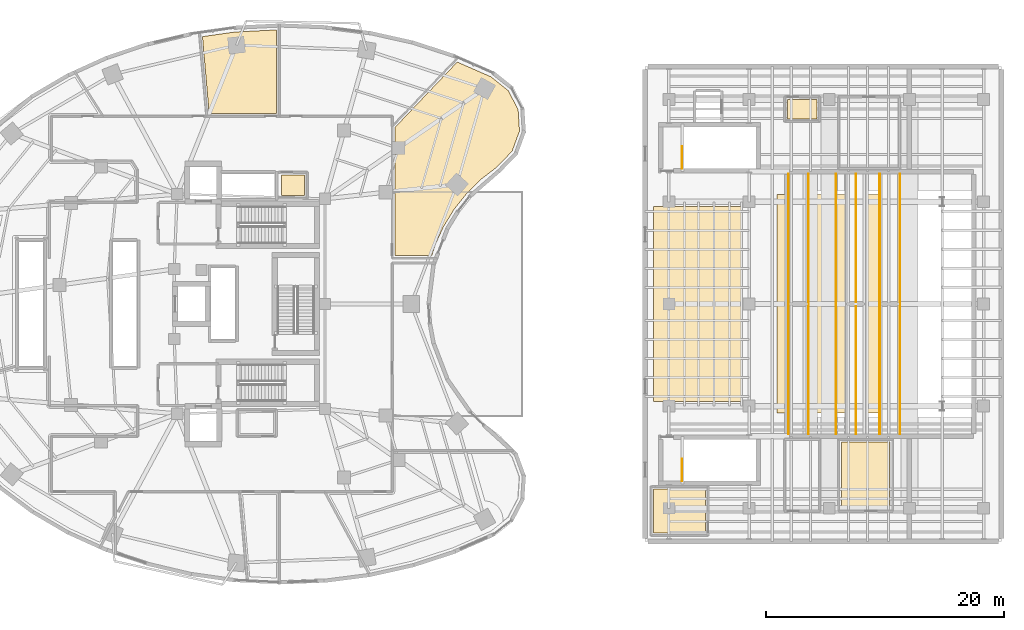
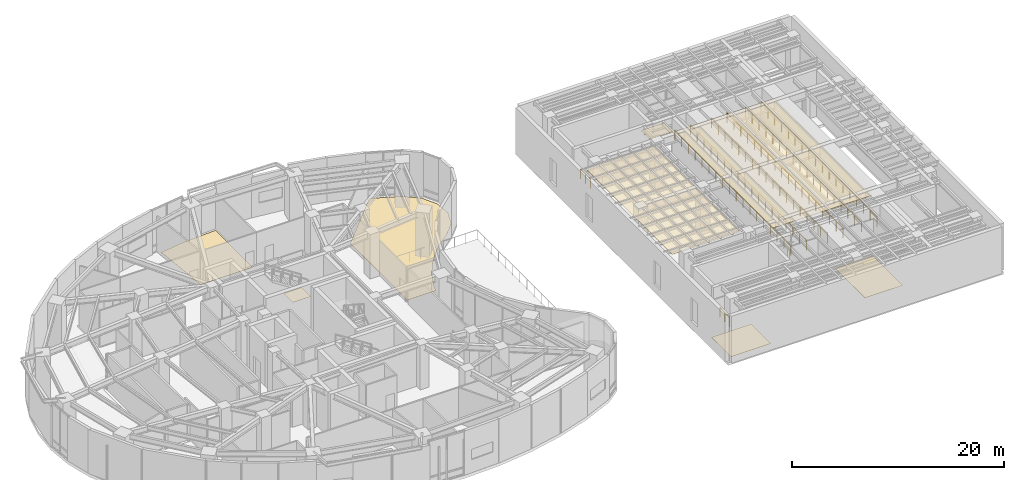
# One storey, part 19 of 19: 8 coverings, 8 railings.
"""IFC4 building model written with IfcOpenShell, lengths in metres."""

from ifc_helpers import new_model, si_unit, direction, frame, origin, origin_2d, place, context, subcontext, project, spatial, polyline, rectangle, outline, extrude, material, layer, layer_set, type_object, element, save


model = new_model("IFC4")

# Units and contexts
model_context = context("Model", 3, precision=1e-05, world=origin(), true_north=direction((0.0, 1.0)))
body_context = subcontext(model_context, "Body", "Model", "MODEL_VIEW")
ifc_project = project(units=[si_unit("LENGTHUNIT", "METRE"), si_unit("AREAUNIT", "SQUARE_METRE"), si_unit("VOLUMEUNIT", "CUBIC_METRE"), si_unit("PLANEANGLEUNIT", "RADIAN"), si_unit("MASSUNIT", "GRAM", prefix="KILO")], contexts=[model_context])

# Site, building, storey
site_placement = place(None, origin())
site = spatial("IfcSite", under=ifc_project, at=site_placement, CompositionType="ELEMENT")
building_placement = place(site_placement, origin())
building = spatial("IfcBuilding", under=site, at=building_placement, Name="Korentha Bioscience Tower", CompositionType="ELEMENT")
storey_placement = place(building_placement, frame((0.0, 0.0, 20.39990234375)))
storey = spatial("IfcBuildingStorey", under=building, at=storey_placement, Name="L04", CompositionType="ELEMENT", Elevation=20.39990234375)

# Coverings
ifc_material_1 = material(Name="Vitrified Porcelain Tile", Category="ceramic")
ifc_layer_1 = layer(ifc_material_1, 0.014892578125, Name="Vitrified Porcelain Tile")
ifc_layer_set_1 = layer_set([ifc_layer_1], Name="Vitrified Porcelain Tile (FL-CER)")
covering_type_1 = type_object("IfcCoveringType", Name="Anti-Slip Ceramic Wet-Room Tile Flooring 15", PredefinedType="FLOORING", material=ifc_layer_set_1)
covering_1_placement = place(storey_placement, origin())
element("IfcCovering", 1, at=covering_1_placement, inside=storey, type_object=covering_type_1, Name="L04 Accessible Staff WC Floor Finish", PredefinedType="FLOORING", context=body_context, shape_type="SweptSolid", body=[
    extrude(outline(polyline([(33.8701171875, 36.1298828125), (33.8701171875, 37.8701171875), (35.830078125, 37.8701171875), (35.830078125, 36.1298828125), (33.8701171875, 36.1298828125)])), origin(), (0.0, 0.0, 1.0), 0.01513671875),
])
covering_2_placement = place(storey_placement, origin())
element("IfcCovering", 2, at=covering_2_placement, inside=storey, type_object=covering_type_1, Name="L04 L04 Theatre Public Restrooms Floor Finish", PredefinedType="FLOORING", context=body_context, shape_type="SweptSolid", body=[
    extrude(outline(polyline([(65.219970703125, 11.429931640625), (69.580078125, 11.419921875), (69.570068359375, 7.719970703125), (65.219970703125, 7.719970703125), (65.219970703125, 11.429931640625)])), origin(), (0.0, 0.0, 1.0), 0.01513671875),
])
covering_3_placement = place(storey_placement, origin())
element("IfcCovering", 3, at=covering_3_placement, inside=storey, type_object=covering_type_1, Name="L04 L04 Theatre Accessible WC Floor Finish", PredefinedType="FLOORING", context=body_context, shape_type="SweptSolid", body=[
    extrude(outline(polyline([(76.469970703125, 42.570068359375), (76.469970703125, 44.219970703125), (78.97998046875, 44.219970703125), (78.97998046875, 42.570068359375), (76.469970703125, 42.570068359375)])), origin(), (0.0, 0.0, 1.0), 0.01513671875),
])

# Railings
ifc_material_2 = material(Name="Laminated Tempered Safety Glass", Category="glass")
railing_type_1 = type_object("IfcRailingType", Name="Laminated Glass Balcony Guardrail 1150", PredefinedType="BALUSTRADE", material=ifc_material_2)
railing_1_placement = place(storey_placement, frame((76.550048828125, 16.050048828125, 2.7001953125)))
element("IfcRailing", 4, at=railing_1_placement, inside=storey, type_object=railing_type_1, Name="L04 Auditorium Catwalk 1 Guardrail W", PredefinedType="BALUSTRADE", context=body_context, shape_type="SweptSolid", body=[
    extrude(rectangle(XDim=0.048095703125, YDim=0.048095703125, at=origin_2d()), frame((0.0, 0.0, 1.1259765625), z_axis=(0.0, 1.0, 0.0), x_axis=(-1.0, 0.0, 0.0)), (0.0, 0.0, 1.0), 21.89990234375),
    extrude(rectangle(XDim=0.0419921875, YDim=0.0419921875, at=origin_2d()), origin(), (0.0, 0.0, 1.0), 1.101806640625),
    extrude(rectangle(XDim=0.0419921875, YDim=0.0419921875, at=origin_2d()), frame((0.0, 1.288330078125, 0.0)), (0.0, 0.0, 1.0), 1.101806640625),
    extrude(rectangle(XDim=0.0419921875, YDim=0.0419921875, at=origin_2d()), frame((0.0, 2.576416015625, 0.0)), (0.0, 0.0, 1.0), 1.101806640625),
    extrude(rectangle(XDim=0.0419921875, YDim=0.0419921875, at=origin_2d()), frame((0.0, 3.86474609375, 0.0)), (0.0, 0.0, 1.0), 1.101806640625),
    extrude(rectangle(XDim=0.0419921875, YDim=0.0419921875, at=origin_2d()), frame((0.0, 5.15283203125, 0.0)), (0.0, 0.0, 1.0), 1.101806640625),
    extrude(rectangle(XDim=0.0419921875, YDim=0.0419921875, at=origin_2d()), frame((0.0, 6.441162109375, 0.0)), (0.0, 0.0, 1.0), 1.101806640625),
    extrude(rectangle(XDim=0.0419921875, YDim=0.0419921875, at=origin_2d()), frame((0.0, 7.7294921875, 0.0)), (0.0, 0.0, 1.0), 1.101806640625),
    extrude(rectangle(XDim=0.0419921875, YDim=0.0419921875, at=origin_2d()), frame((0.0, 9.017578125, 0.0)), (0.0, 0.0, 1.0), 1.101806640625),
    extrude(rectangle(XDim=0.0419921875, YDim=0.0419921875, at=origin_2d()), frame((0.0, 10.305908203125, 0.0)), (0.0, 0.0, 1.0), 1.101806640625),
    extrude(rectangle(XDim=0.0419921875, YDim=0.0419921875, at=origin_2d()), frame((0.0, 11.593994140625, 0.0)), (0.0, 0.0, 1.0), 1.101806640625),
    extrude(rectangle(XDim=0.0419921875, YDim=0.0419921875, at=origin_2d()), frame((0.0, 12.88232421875, 0.0)), (0.0, 0.0, 1.0), 1.101806640625),
    extrude(rectangle(XDim=0.0419921875, YDim=0.0419921875, at=origin_2d()), frame((0.0, 14.17041015625, 0.0)), (0.0, 0.0, 1.0), 1.101806640625),
    extrude(rectangle(XDim=0.0419921875, YDim=0.0419921875, at=origin_2d()), frame((0.0, 15.458740234375, 0.0)), (0.0, 0.0, 1.0), 1.101806640625),
    extrude(rectangle(XDim=0.0419921875, YDim=0.0419921875, at=origin_2d()), frame((0.0, 16.7470703125, 0.0)), (0.0, 0.0, 1.0), 1.101806640625),
    extrude(rectangle(XDim=0.0419921875, YDim=0.0419921875, at=origin_2d()), frame((0.0, 18.03515625, 0.0)), (0.0, 0.0, 1.0), 1.101806640625),
    extrude(rectangle(XDim=0.0419921875, YDim=0.0419921875, at=origin_2d()), frame((0.0, 19.323486328125, 0.0)), (0.0, 0.0, 1.0), 1.101806640625),
    extrude(rectangle(XDim=0.0419921875, YDim=0.0419921875, at=origin_2d()), frame((0.0, 20.611572265625, 0.0)), (0.0, 0.0, 1.0), 1.101806640625),
    extrude(rectangle(XDim=0.0419921875, YDim=0.0419921875, at=origin_2d()), frame((0.0, 21.89990234375, 0.0)), (0.0, 0.0, 1.0), 1.101806640625),
])
railing_2_placement = place(storey_placement, frame((78.25, 16.050048828125, 2.7001953125)))
element("IfcRailing", 5, at=railing_2_placement, inside=storey, type_object=railing_type_1, Name="L04 Auditorium Catwalk 1 Guardrail E", PredefinedType="BALUSTRADE", context=body_context, shape_type="SweptSolid", body=[
    extrude(rectangle(XDim=0.048095703125, YDim=0.048095703125, at=origin_2d()), frame((0.0, 0.0, 1.1259765625), z_axis=(0.0, 1.0, 0.0), x_axis=(-1.0, 0.0, 0.0)), (0.0, 0.0, 1.0), 21.89990234375),
    extrude(rectangle(XDim=0.0419921875, YDim=0.0419921875, at=origin_2d()), origin(), (0.0, 0.0, 1.0), 1.101806640625),
    extrude(rectangle(XDim=0.0419921875, YDim=0.0419921875, at=origin_2d()), frame((0.0, 1.288330078125, 0.0)), (0.0, 0.0, 1.0), 1.101806640625),
    extrude(rectangle(XDim=0.0419921875, YDim=0.0419921875, at=origin_2d()), frame((0.0, 2.576416015625, 0.0)), (0.0, 0.0, 1.0), 1.101806640625),
    extrude(rectangle(XDim=0.0419921875, YDim=0.0419921875, at=origin_2d()), frame((0.0, 3.86474609375, 0.0)), (0.0, 0.0, 1.0), 1.101806640625),
    extrude(rectangle(XDim=0.0419921875, YDim=0.0419921875, at=origin_2d()), frame((0.0, 5.15283203125, 0.0)), (0.0, 0.0, 1.0), 1.101806640625),
    extrude(rectangle(XDim=0.0419921875, YDim=0.0419921875, at=origin_2d()), frame((0.0, 6.441162109375, 0.0)), (0.0, 0.0, 1.0), 1.101806640625),
    extrude(rectangle(XDim=0.0419921875, YDim=0.0419921875, at=origin_2d()), frame((0.0, 7.7294921875, 0.0)), (0.0, 0.0, 1.0), 1.101806640625),
    extrude(rectangle(XDim=0.0419921875, YDim=0.0419921875, at=origin_2d()), frame((0.0, 9.017578125, 0.0)), (0.0, 0.0, 1.0), 1.101806640625),
    extrude(rectangle(XDim=0.0419921875, YDim=0.0419921875, at=origin_2d()), frame((0.0, 10.305908203125, 0.0)), (0.0, 0.0, 1.0), 1.101806640625),
    extrude(rectangle(XDim=0.0419921875, YDim=0.0419921875, at=origin_2d()), frame((0.0, 11.593994140625, 0.0)), (0.0, 0.0, 1.0), 1.101806640625),
    extrude(rectangle(XDim=0.0419921875, YDim=0.0419921875, at=origin_2d()), frame((0.0, 12.88232421875, 0.0)), (0.0, 0.0, 1.0), 1.101806640625),
    extrude(rectangle(XDim=0.0419921875, YDim=0.0419921875, at=origin_2d()), frame((0.0, 14.17041015625, 0.0)), (0.0, 0.0, 1.0), 1.101806640625),
    extrude(rectangle(XDim=0.0419921875, YDim=0.0419921875, at=origin_2d()), frame((0.0, 15.458740234375, 0.0)), (0.0, 0.0, 1.0), 1.101806640625),
    extrude(rectangle(XDim=0.0419921875, YDim=0.0419921875, at=origin_2d()), frame((0.0, 16.7470703125, 0.0)), (0.0, 0.0, 1.0), 1.101806640625),
    extrude(rectangle(XDim=0.0419921875, YDim=0.0419921875, at=origin_2d()), frame((0.0, 18.03515625, 0.0)), (0.0, 0.0, 1.0), 1.101806640625),
    extrude(rectangle(XDim=0.0419921875, YDim=0.0419921875, at=origin_2d()), frame((0.0, 19.323486328125, 0.0)), (0.0, 0.0, 1.0), 1.101806640625),
    extrude(rectangle(XDim=0.0419921875, YDim=0.0419921875, at=origin_2d()), frame((0.0, 20.611572265625, 0.0)), (0.0, 0.0, 1.0), 1.101806640625),
    extrude(rectangle(XDim=0.0419921875, YDim=0.0419921875, at=origin_2d()), frame((0.0, 21.89990234375, 0.0)), (0.0, 0.0, 1.0), 1.101806640625),
])
railing_3_placement = place(storey_placement, frame((80.550048828125, 16.050048828125, 2.7001953125)))
element("IfcRailing", 6, at=railing_3_placement, inside=storey, type_object=railing_type_1, Name="L04 Auditorium Catwalk 2 Guardrail W", PredefinedType="BALUSTRADE", context=body_context, shape_type="SweptSolid", body=[
    extrude(rectangle(XDim=0.048095703125, YDim=0.048095703125, at=origin_2d()), frame((0.0, 0.0, 1.1259765625), z_axis=(0.0, 1.0, 0.0), x_axis=(-1.0, 0.0, 0.0)), (0.0, 0.0, 1.0), 21.89990234375),
    extrude(rectangle(XDim=0.0419921875, YDim=0.0419921875, at=origin_2d()), origin(), (0.0, 0.0, 1.0), 1.101806640625),
    extrude(rectangle(XDim=0.0419921875, YDim=0.0419921875, at=origin_2d()), frame((0.0, 1.288330078125, 0.0)), (0.0, 0.0, 1.0), 1.101806640625),
    extrude(rectangle(XDim=0.0419921875, YDim=0.0419921875, at=origin_2d()), frame((0.0, 2.576416015625, 0.0)), (0.0, 0.0, 1.0), 1.101806640625),
    extrude(rectangle(XDim=0.0419921875, YDim=0.0419921875, at=origin_2d()), frame((0.0, 3.86474609375, 0.0)), (0.0, 0.0, 1.0), 1.101806640625),
    extrude(rectangle(XDim=0.0419921875, YDim=0.0419921875, at=origin_2d()), frame((0.0, 5.15283203125, 0.0)), (0.0, 0.0, 1.0), 1.101806640625),
    extrude(rectangle(XDim=0.0419921875, YDim=0.0419921875, at=origin_2d()), frame((0.0, 6.441162109375, 0.0)), (0.0, 0.0, 1.0), 1.101806640625),
    extrude(rectangle(XDim=0.0419921875, YDim=0.0419921875, at=origin_2d()), frame((0.0, 7.7294921875, 0.0)), (0.0, 0.0, 1.0), 1.101806640625),
    extrude(rectangle(XDim=0.0419921875, YDim=0.0419921875, at=origin_2d()), frame((0.0, 9.017578125, 0.0)), (0.0, 0.0, 1.0), 1.101806640625),
    extrude(rectangle(XDim=0.0419921875, YDim=0.0419921875, at=origin_2d()), frame((0.0, 10.305908203125, 0.0)), (0.0, 0.0, 1.0), 1.101806640625),
    extrude(rectangle(XDim=0.0419921875, YDim=0.0419921875, at=origin_2d()), frame((0.0, 11.593994140625, 0.0)), (0.0, 0.0, 1.0), 1.101806640625),
    extrude(rectangle(XDim=0.0419921875, YDim=0.0419921875, at=origin_2d()), frame((0.0, 12.88232421875, 0.0)), (0.0, 0.0, 1.0), 1.101806640625),
    extrude(rectangle(XDim=0.0419921875, YDim=0.0419921875, at=origin_2d()), frame((0.0, 14.17041015625, 0.0)), (0.0, 0.0, 1.0), 1.101806640625),
    extrude(rectangle(XDim=0.0419921875, YDim=0.0419921875, at=origin_2d()), frame((0.0, 15.458740234375, 0.0)), (0.0, 0.0, 1.0), 1.101806640625),
    extrude(rectangle(XDim=0.0419921875, YDim=0.0419921875, at=origin_2d()), frame((0.0, 16.7470703125, 0.0)), (0.0, 0.0, 1.0), 1.101806640625),
    extrude(rectangle(XDim=0.0419921875, YDim=0.0419921875, at=origin_2d()), frame((0.0, 18.03515625, 0.0)), (0.0, 0.0, 1.0), 1.101806640625),
    extrude(rectangle(XDim=0.0419921875, YDim=0.0419921875, at=origin_2d()), frame((0.0, 19.323486328125, 0.0)), (0.0, 0.0, 1.0), 1.101806640625),
    extrude(rectangle(XDim=0.0419921875, YDim=0.0419921875, at=origin_2d()), frame((0.0, 20.611572265625, 0.0)), (0.0, 0.0, 1.0), 1.101806640625),
    extrude(rectangle(XDim=0.0419921875, YDim=0.0419921875, at=origin_2d()), frame((0.0, 21.89990234375, 0.0)), (0.0, 0.0, 1.0), 1.101806640625),
])
railing_4_placement = place(storey_placement, frame((82.25, 16.050048828125, 2.7001953125)))
element("IfcRailing", 7, at=railing_4_placement, inside=storey, type_object=railing_type_1, Name="L04 Auditorium Catwalk 2 Guardrail E", PredefinedType="BALUSTRADE", context=body_context, shape_type="SweptSolid", body=[
    extrude(rectangle(XDim=0.048095703125, YDim=0.048095703125, at=origin_2d()), frame((0.0, 0.0, 1.1259765625), z_axis=(0.0, 1.0, 0.0), x_axis=(-1.0, 0.0, 0.0)), (0.0, 0.0, 1.0), 21.89990234375),
    extrude(rectangle(XDim=0.0419921875, YDim=0.0419921875, at=origin_2d()), origin(), (0.0, 0.0, 1.0), 1.101806640625),
    extrude(rectangle(XDim=0.0419921875, YDim=0.0419921875, at=origin_2d()), frame((0.0, 1.288330078125, 0.0)), (0.0, 0.0, 1.0), 1.101806640625),
    extrude(rectangle(XDim=0.0419921875, YDim=0.0419921875, at=origin_2d()), frame((0.0, 2.576416015625, 0.0)), (0.0, 0.0, 1.0), 1.101806640625),
    extrude(rectangle(XDim=0.0419921875, YDim=0.0419921875, at=origin_2d()), frame((0.0, 3.86474609375, 0.0)), (0.0, 0.0, 1.0), 1.101806640625),
    extrude(rectangle(XDim=0.0419921875, YDim=0.0419921875, at=origin_2d()), frame((0.0, 5.15283203125, 0.0)), (0.0, 0.0, 1.0), 1.101806640625),
    extrude(rectangle(XDim=0.0419921875, YDim=0.0419921875, at=origin_2d()), frame((0.0, 6.441162109375, 0.0)), (0.0, 0.0, 1.0), 1.101806640625),
    extrude(rectangle(XDim=0.0419921875, YDim=0.0419921875, at=origin_2d()), frame((0.0, 7.7294921875, 0.0)), (0.0, 0.0, 1.0), 1.101806640625),
    extrude(rectangle(XDim=0.0419921875, YDim=0.0419921875, at=origin_2d()), frame((0.0, 9.017578125, 0.0)), (0.0, 0.0, 1.0), 1.101806640625),
    extrude(rectangle(XDim=0.0419921875, YDim=0.0419921875, at=origin_2d()), frame((0.0, 10.305908203125, 0.0)), (0.0, 0.0, 1.0), 1.101806640625),
    extrude(rectangle(XDim=0.0419921875, YDim=0.0419921875, at=origin_2d()), frame((0.0, 11.593994140625, 0.0)), (0.0, 0.0, 1.0), 1.101806640625),
    extrude(rectangle(XDim=0.0419921875, YDim=0.0419921875, at=origin_2d()), frame((0.0, 12.88232421875, 0.0)), (0.0, 0.0, 1.0), 1.101806640625),
    extrude(rectangle(XDim=0.0419921875, YDim=0.0419921875, at=origin_2d()), frame((0.0, 14.17041015625, 0.0)), (0.0, 0.0, 1.0), 1.101806640625),
    extrude(rectangle(XDim=0.0419921875, YDim=0.0419921875, at=origin_2d()), frame((0.0, 15.458740234375, 0.0)), (0.0, 0.0, 1.0), 1.101806640625),
    extrude(rectangle(XDim=0.0419921875, YDim=0.0419921875, at=origin_2d()), frame((0.0, 16.7470703125, 0.0)), (0.0, 0.0, 1.0), 1.101806640625),
    extrude(rectangle(XDim=0.0419921875, YDim=0.0419921875, at=origin_2d()), frame((0.0, 18.03515625, 0.0)), (0.0, 0.0, 1.0), 1.101806640625),
    extrude(rectangle(XDim=0.0419921875, YDim=0.0419921875, at=origin_2d()), frame((0.0, 19.323486328125, 0.0)), (0.0, 0.0, 1.0), 1.101806640625),
    extrude(rectangle(XDim=0.0419921875, YDim=0.0419921875, at=origin_2d()), frame((0.0, 20.611572265625, 0.0)), (0.0, 0.0, 1.0), 1.101806640625),
    extrude(rectangle(XDim=0.0419921875, YDim=0.0419921875, at=origin_2d()), frame((0.0, 21.89990234375, 0.0)), (0.0, 0.0, 1.0), 1.101806640625),
])
railing_5_placement = place(storey_placement, frame((84.25, 16.050048828125, 2.7001953125)))
element("IfcRailing", 8, at=railing_5_placement, inside=storey, type_object=railing_type_1, Name="L04 Auditorium Catwalk 3 Guardrail W", PredefinedType="BALUSTRADE", context=body_context, shape_type="SweptSolid", body=[
    extrude(rectangle(XDim=0.048095703125, YDim=0.048095703125, at=origin_2d()), frame((0.0, 0.0, 1.1259765625), z_axis=(0.0, 1.0, 0.0), x_axis=(-1.0, 0.0, 0.0)), (0.0, 0.0, 1.0), 21.89990234375),
    extrude(rectangle(XDim=0.0419921875, YDim=0.0419921875, at=origin_2d()), origin(), (0.0, 0.0, 1.0), 1.101806640625),
    extrude(rectangle(XDim=0.0419921875, YDim=0.0419921875, at=origin_2d()), frame((0.0, 1.288330078125, 0.0)), (0.0, 0.0, 1.0), 1.101806640625),
    extrude(rectangle(XDim=0.0419921875, YDim=0.0419921875, at=origin_2d()), frame((0.0, 2.576416015625, 0.0)), (0.0, 0.0, 1.0), 1.101806640625),
    extrude(rectangle(XDim=0.0419921875, YDim=0.0419921875, at=origin_2d()), frame((0.0, 3.86474609375, 0.0)), (0.0, 0.0, 1.0), 1.101806640625),
    extrude(rectangle(XDim=0.0419921875, YDim=0.0419921875, at=origin_2d()), frame((0.0, 5.15283203125, 0.0)), (0.0, 0.0, 1.0), 1.101806640625),
    extrude(rectangle(XDim=0.0419921875, YDim=0.0419921875, at=origin_2d()), frame((0.0, 6.441162109375, 0.0)), (0.0, 0.0, 1.0), 1.101806640625),
    extrude(rectangle(XDim=0.0419921875, YDim=0.0419921875, at=origin_2d()), frame((0.0, 7.7294921875, 0.0)), (0.0, 0.0, 1.0), 1.101806640625),
    extrude(rectangle(XDim=0.0419921875, YDim=0.0419921875, at=origin_2d()), frame((0.0, 9.017578125, 0.0)), (0.0, 0.0, 1.0), 1.101806640625),
    extrude(rectangle(XDim=0.0419921875, YDim=0.0419921875, at=origin_2d()), frame((0.0, 10.305908203125, 0.0)), (0.0, 0.0, 1.0), 1.101806640625),
    extrude(rectangle(XDim=0.0419921875, YDim=0.0419921875, at=origin_2d()), frame((0.0, 11.593994140625, 0.0)), (0.0, 0.0, 1.0), 1.101806640625),
    extrude(rectangle(XDim=0.0419921875, YDim=0.0419921875, at=origin_2d()), frame((0.0, 12.88232421875, 0.0)), (0.0, 0.0, 1.0), 1.101806640625),
    extrude(rectangle(XDim=0.0419921875, YDim=0.0419921875, at=origin_2d()), frame((0.0, 14.17041015625, 0.0)), (0.0, 0.0, 1.0), 1.101806640625),
    extrude(rectangle(XDim=0.0419921875, YDim=0.0419921875, at=origin_2d()), frame((0.0, 15.458740234375, 0.0)), (0.0, 0.0, 1.0), 1.101806640625),
    extrude(rectangle(XDim=0.0419921875, YDim=0.0419921875, at=origin_2d()), frame((0.0, 16.7470703125, 0.0)), (0.0, 0.0, 1.0), 1.101806640625),
    extrude(rectangle(XDim=0.0419921875, YDim=0.0419921875, at=origin_2d()), frame((0.0, 18.03515625, 0.0)), (0.0, 0.0, 1.0), 1.101806640625),
    extrude(rectangle(XDim=0.0419921875, YDim=0.0419921875, at=origin_2d()), frame((0.0, 19.323486328125, 0.0)), (0.0, 0.0, 1.0), 1.101806640625),
    extrude(rectangle(XDim=0.0419921875, YDim=0.0419921875, at=origin_2d()), frame((0.0, 20.611572265625, 0.0)), (0.0, 0.0, 1.0), 1.101806640625),
    extrude(rectangle(XDim=0.0419921875, YDim=0.0419921875, at=origin_2d()), frame((0.0, 21.89990234375, 0.0)), (0.0, 0.0, 1.0), 1.101806640625),
])
railing_6_placement = place(storey_placement, frame((85.949951171875, 16.050048828125, 2.7001953125)))
element("IfcRailing", 9, at=railing_6_placement, inside=storey, type_object=railing_type_1, Name="L04 Auditorium Catwalk 3 Guardrail E", PredefinedType="BALUSTRADE", context=body_context, shape_type="SweptSolid", body=[
    extrude(rectangle(XDim=0.048095703125, YDim=0.048095703125, at=origin_2d()), frame((0.0, 0.0, 1.1259765625), z_axis=(0.0, 1.0, 0.0), x_axis=(-1.0, 0.0, 0.0)), (0.0, 0.0, 1.0), 21.89990234375),
    extrude(rectangle(XDim=0.0419921875, YDim=0.0419921875, at=origin_2d()), origin(), (0.0, 0.0, 1.0), 1.101806640625),
    extrude(rectangle(XDim=0.0419921875, YDim=0.0419921875, at=origin_2d()), frame((0.0, 1.288330078125, 0.0)), (0.0, 0.0, 1.0), 1.101806640625),
    extrude(rectangle(XDim=0.0419921875, YDim=0.0419921875, at=origin_2d()), frame((0.0, 2.576416015625, 0.0)), (0.0, 0.0, 1.0), 1.101806640625),
    extrude(rectangle(XDim=0.0419921875, YDim=0.0419921875, at=origin_2d()), frame((0.0, 3.86474609375, 0.0)), (0.0, 0.0, 1.0), 1.101806640625),
    extrude(rectangle(XDim=0.0419921875, YDim=0.0419921875, at=origin_2d()), frame((0.0, 5.15283203125, 0.0)), (0.0, 0.0, 1.0), 1.101806640625),
    extrude(rectangle(XDim=0.0419921875, YDim=0.0419921875, at=origin_2d()), frame((0.0, 6.441162109375, 0.0)), (0.0, 0.0, 1.0), 1.101806640625),
    extrude(rectangle(XDim=0.0419921875, YDim=0.0419921875, at=origin_2d()), frame((0.0, 7.7294921875, 0.0)), (0.0, 0.0, 1.0), 1.101806640625),
    extrude(rectangle(XDim=0.0419921875, YDim=0.0419921875, at=origin_2d()), frame((0.0, 9.017578125, 0.0)), (0.0, 0.0, 1.0), 1.101806640625),
    extrude(rectangle(XDim=0.0419921875, YDim=0.0419921875, at=origin_2d()), frame((0.0, 10.305908203125, 0.0)), (0.0, 0.0, 1.0), 1.101806640625),
    extrude(rectangle(XDim=0.0419921875, YDim=0.0419921875, at=origin_2d()), frame((0.0, 11.593994140625, 0.0)), (0.0, 0.0, 1.0), 1.101806640625),
    extrude(rectangle(XDim=0.0419921875, YDim=0.0419921875, at=origin_2d()), frame((0.0, 12.88232421875, 0.0)), (0.0, 0.0, 1.0), 1.101806640625),
    extrude(rectangle(XDim=0.0419921875, YDim=0.0419921875, at=origin_2d()), frame((0.0, 14.17041015625, 0.0)), (0.0, 0.0, 1.0), 1.101806640625),
    extrude(rectangle(XDim=0.0419921875, YDim=0.0419921875, at=origin_2d()), frame((0.0, 15.458740234375, 0.0)), (0.0, 0.0, 1.0), 1.101806640625),
    extrude(rectangle(XDim=0.0419921875, YDim=0.0419921875, at=origin_2d()), frame((0.0, 16.7470703125, 0.0)), (0.0, 0.0, 1.0), 1.101806640625),
    extrude(rectangle(XDim=0.0419921875, YDim=0.0419921875, at=origin_2d()), frame((0.0, 18.03515625, 0.0)), (0.0, 0.0, 1.0), 1.101806640625),
    extrude(rectangle(XDim=0.0419921875, YDim=0.0419921875, at=origin_2d()), frame((0.0, 19.323486328125, 0.0)), (0.0, 0.0, 1.0), 1.101806640625),
    extrude(rectangle(XDim=0.0419921875, YDim=0.0419921875, at=origin_2d()), frame((0.0, 20.611572265625, 0.0)), (0.0, 0.0, 1.0), 1.101806640625),
    extrude(rectangle(XDim=0.0419921875, YDim=0.0419921875, at=origin_2d()), frame((0.0, 21.89990234375, 0.0)), (0.0, 0.0, 1.0), 1.101806640625),
])
ifc_material_3 = material(Name="Painted Steel S275", Category="steel")
railing_type_2 = type_object("IfcRailingType", Name="Painted Steel Stair Well Guardrail 1100", PredefinedType="GUARDRAIL", material=ifc_material_3)
railing_7_placement = place(storey_placement, frame((67.60009765625, 12.10009765625, 0.0)))
element("IfcRailing", 10, at=railing_7_placement, inside=storey, type_object=railing_type_2, Name="L04 ST-T1 top well guard 1", PredefinedType="GUARDRAIL", context=body_context, shape_type="SweptSolid", body=[
    extrude(rectangle(XDim=0.048095703125, YDim=0.048095703125, at=origin_2d()), frame((0.0, 0.0, 1.076171875), z_axis=(0.0, 1.0, 0.0), x_axis=(-1.0, 0.0, 0.0)), (0.0, 0.0, 1.0), 1.849853515625),
    extrude(rectangle(XDim=0.0419921875, YDim=0.0419921875, at=origin_2d()), origin(), (0.0, 0.0, 1.0), 1.052001953125),
    extrude(rectangle(XDim=0.0419921875, YDim=0.0419921875, at=origin_2d()), frame((0.0, 0.9248046875, 0.0)), (0.0, 0.0, 1.0), 1.052001953125),
    extrude(rectangle(XDim=0.0419921875, YDim=0.0419921875, at=origin_2d()), frame((0.0, 1.849853515625, 0.0)), (0.0, 0.0, 1.0), 1.052001953125),
])
railing_8_placement = place(storey_placement, frame((67.60009765625, 38.39990234375, 0.0)))
element("IfcRailing", 11, at=railing_8_placement, inside=storey, type_object=railing_type_2, Name="L04 ST-T2 top well guard 1", PredefinedType="GUARDRAIL", context=body_context, shape_type="SweptSolid", body=[
    extrude(rectangle(XDim=0.048095703125, YDim=0.048095703125, at=origin_2d()), frame((0.0, 0.0, 1.076171875), z_axis=(0.0, 1.0, 0.0), x_axis=(-1.0, 0.0, 0.0)), (0.0, 0.0, 1.0), 1.85009765625),
    extrude(rectangle(XDim=0.0419921875, YDim=0.0419921875, at=origin_2d()), origin(), (0.0, 0.0, 1.0), 1.052001953125),
    extrude(rectangle(XDim=0.0419921875, YDim=0.0419921875, at=origin_2d()), frame((0.0, 0.925048828125, 0.0)), (0.0, 0.0, 1.0), 1.052001953125),
    extrude(rectangle(XDim=0.0419921875, YDim=0.0419921875, at=origin_2d()), frame((0.0, 1.85009765625, 0.0)), (0.0, 0.0, 1.0), 1.052001953125),
])

# Coverings
ifc_material_4 = material(Name="Perforated Powder-Coated Aluminium", Category="aluminium")
ifc_layer_2 = layer(ifc_material_4, 0.044921875, Name="Perforated Powder-Coated Aluminium")
ifc_layer_set_2 = layer_set([ifc_layer_2], Name="Perforated Powder-Coated Aluminium (CL-M45)")
covering_type_2 = type_object("IfcCoveringType", Name="Perforated Metal Laboratory Acoustic Ceiling 45", PredefinedType="CEILING", material=ifc_layer_set_2)
covering_4_placement = place(storey_placement, frame((0.0, 0.0, 5.05517578125)))
element("IfcCovering", 12, at=covering_4_placement, inside=storey, type_object=covering_type_2, Name="L04 Acoustic Metal Baffle Ceiling", PredefinedType="CEILING", context=body_context, shape_type="SweptSolid", body=[
    extrude(outline(polyline([(65.199951171875, 18.800048828125), (72.60009765625, 18.800048828125), (72.60009765625, 35.199951171875), (65.199951171875, 35.199951171875), (65.199951171875, 18.800048828125)])), origin(), (0.0, 0.0, 1.0), 0.044921875),
])
ifc_material_5 = material(Name="Chemical-Resistant Epoxy Resin", Category="polymer")
ifc_layer_3 = layer(ifc_material_5, 0.011962890625, Name="Chemical-Resistant Epoxy Resin")
ifc_layer_set_3 = layer_set([ifc_layer_3], Name="Chemical-Resistant Epoxy Resin (FL-EPX)")
covering_type_3 = type_object("IfcCoveringType", Name="Seamless Epoxy Laboratory Flooring 12", PredefinedType="FLOORING", material=ifc_layer_set_3)
covering_5_placement = place(storey_placement, origin())
element("IfcCovering", 13, at=covering_5_placement, inside=storey, type_object=covering_type_3, Name="L04 Industry Incubator Co-Working Studio 07 Floor Finish", PredefinedType="FLOORING", context=body_context, shape_type="SweptSolid", body=[
    extrude(outline(polyline([(53.297607421875, 39.85546875), (51.98876953125, 38.5029296875), (50.681884765625, 37.4970703125), (49.50390625, 36.340087890625), (48.442626953125, 35.011962890625), (47.521728515625, 33.50927734375), (46.83740234375, 32.006591796875), (46.5400390625, 31.072021484375), (43.429931640625, 31.072021484375), (43.429931640625, 41.85888671875), (48.67724609375, 47.368896484375), (51.5166015625, 46.125), (52.96630859375, 44.970458984375), (53.805419921875, 43.364501953125), (53.922607421875, 41.556396484375), (53.297607421875, 39.85546875)])), origin(), (0.0, 0.0, 1.0), 0.01220703125),
])
covering_6_placement = place(storey_placement, origin())
element("IfcCovering", 14, at=covering_6_placement, inside=storey, type_object=covering_type_3, Name="L04 Bioscience Reference Library 09 Floor Finish", PredefinedType="FLOORING", context=body_context, shape_type="SweptSolid", body=[
    extrude(outline(polyline([(33.471923828125, 43.030029296875), (27.7939453125, 43.030029296875), (27.227294921875, 49.508544921875), (29.989501953125, 49.898681640625), (33.471923828125, 50.074462890625), (33.471923828125, 43.030029296875)])), origin(), (0.0, 0.0, 1.0), 0.01220703125),
])
covering_7_placement = place(storey_placement, origin())
element("IfcCovering", 15, at=covering_7_placement, inside=storey, type_object=covering_type_3, Name="L04 L04 Ensemble Rehearsal Studio Floor Finish", PredefinedType="FLOORING", context=body_context, shape_type="SweptSolid", body=[
    extrude(outline(polyline([(85.1298828125, 9.780029296875), (81.02001953125, 9.780029296875), (81.02001953125, 15.3798828125), (85.1298828125, 15.3798828125), (85.1298828125, 9.780029296875)])), origin(), (0.0, 0.0, 1.0), 0.01220703125),
])
ifc_material_6 = material(Name="Engineered Slatted Oak Acoustic Panel", Category="wood")
ifc_layer_4 = layer(ifc_material_6, 0.06494140625, Name="Engineered Slatted Oak Acoustic Panel")
ifc_layer_set_4 = layer_set([ifc_layer_4], Name="Engineered Slatted Oak Acoustic Panel (CL-T65)")
covering_type_4 = type_object("IfcCoveringType", Name="Timber Acoustic Auditorium Baffle Ceiling 65", PredefinedType="CEILING", material=ifc_layer_set_4)
covering_8_placement = place(storey_placement, frame((0.0, 0.0, 5.03515625)))
element("IfcCovering", 16, at=covering_8_placement, inside=storey, type_object=covering_type_4, Name="Civic Theatre Auditorium Slatted Oak Acoustic Ceiling", PredefinedType="CEILING", context=body_context, shape_type="SweptSolid", body=[
    extrude(outline(polyline([(75.60009765625, 17.800048828125), (86.39990234375, 17.800048828125), (86.39990234375, 36.199951171875), (75.60009765625, 36.199951171875), (75.60009765625, 17.800048828125)])), origin(), (0.0, 0.0, 1.0), 0.06494140625),
])

save(model, "model.ifc")
